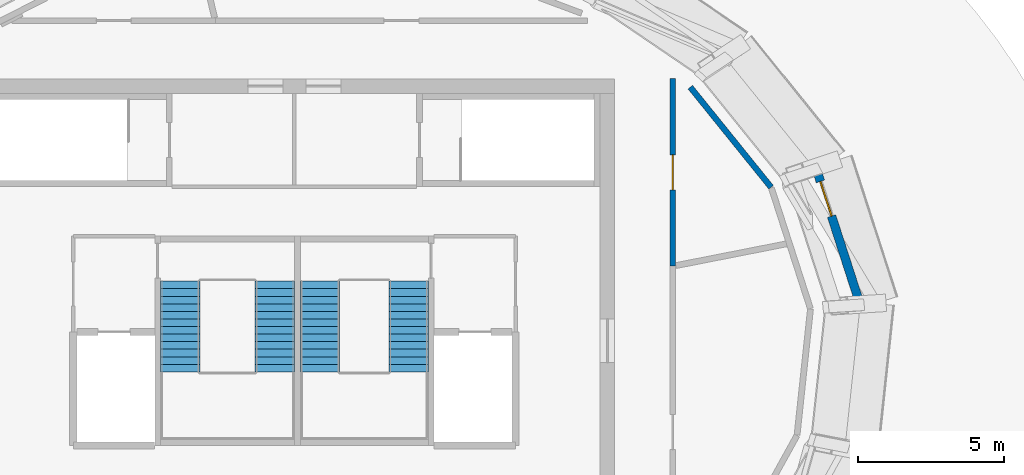
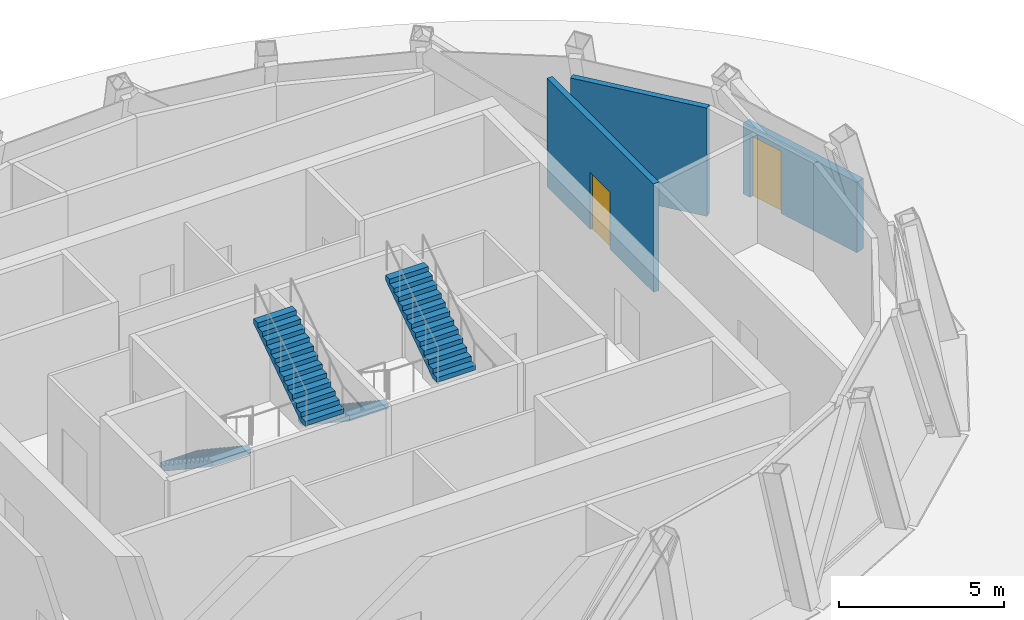
# One storey, part 7 of 9: 4 stair flights, 3 walls, 2 doors, 2 openings, 2 elements without a shape of their own.
"""IFC4 building model written with IfcOpenShell, lengths in metres."""

import ifcopenshell
import ifcopenshell.guid

model = None  # the IFC model being written
_history = None  # IfcOwnerHistory: only IFC2X3 demands one
_inside = {}  # id of a spatial element -> (the spatial element, [elements in it])
_under = {}  # id of a project, library or spatial element -> (it, [spatial elements below it])
_declared = {}  # id of a project -> (the project, [libraries it declares])
_typed = {}  # id of a type object -> (the type object, [elements of that type])
_made_of = {}  # id of a material, layer set ... -> (it, [elements and type objects made of it])


def new_model(schema):
    """Start an empty IFC model of exactly this schema.

    Asked for "IFC4X3", IfcOpenShell would pick the latest addendum, in which some entities
    have other attributes; the version numbers below select the first issue.
    IFC2X3 requires an IfcOwnerHistory on every rooted entity: one is made here for all.
    """
    global model, _history
    if schema == "IFC4X3":
        model = ifcopenshell.file(schema_version=(4, 3, 0, 0))
    else:
        model = ifcopenshell.file(schema=schema)
    _inside.clear()
    _under.clear()
    _declared.clear()
    _typed.clear()
    _made_of.clear()
    _history = None
    if model.schema == "IFC2X3":
        org = make("IfcOrganization", Name="unknown")
        user = make(
            "IfcPersonAndOrganization",
            ThePerson=make("IfcPerson", FamilyName="unknown"),
            TheOrganization=org,
        )
        app = make(
            "IfcApplication",
            ApplicationDeveloper=org,
            Version="unknown",
            ApplicationFullName="unknown",
            ApplicationIdentifier="unknown",
        )
        _history = make(
            "IfcOwnerHistory",
            OwningUser=user,
            OwningApplication=app,
            ChangeAction="ADDED",
            CreationDate=0,
        )
    return model


def make(cls, **values):
    """One entity of the class cls with the attributes given. An attribute that is None is left unset."""
    return model.create_entity(
        cls, **{name: value for name, value in values.items() if value is not None}
    )


def rooted(cls, **values):
    """An entity with a GlobalId (a new one), such as an element, a storey or a relation."""
    return make(cls, GlobalId=ifcopenshell.guid.new(), OwnerHistory=_history, **values)


def si_unit(unit_type, name, prefix=None):
    """IfcSIUnit, for example si_unit("LENGTHUNIT", "METRE", prefix="MILLI")."""
    return make("IfcSIUnit", UnitType=unit_type, Prefix=prefix, Name=name)


def assignment(units):
    """IfcUnitAssignment: the units of a project."""
    return None if units is None else make("IfcUnitAssignment", Units=units)


def point(xyz):
    """IfcCartesianPoint."""
    return None if xyz is None else make("IfcCartesianPoint", Coordinates=xyz)


def direction(xyz):
    """IfcDirection."""
    return None if xyz is None else make("IfcDirection", DirectionRatios=xyz)


def frame(location, z_axis=None, x_axis=None):
    """IfcAxis2Placement3D, a coordinate frame: its origin and axes. An axis left out is left unset."""
    return make(
        "IfcAxis2Placement3D",
        Location=point(location),
        Axis=direction(z_axis),
        RefDirection=direction(x_axis),
    )


def frame_2d(location, x_axis=None):
    """IfcAxis2Placement2D, a coordinate frame in the plane: its origin and x axis."""
    return make(
        "IfcAxis2Placement2D", Location=point(location), RefDirection=direction(x_axis)
    )


def origin():
    """The frame at (0, 0, 0) with its axes left unset."""
    return frame((0.0, 0.0, 0.0))


def place(relative_to, where):
    """IfcLocalPlacement: puts the frame where relative to a parent placement (None: the world)."""
    return make(
        "IfcLocalPlacement", PlacementRelTo=relative_to, RelativePlacement=where
    )


def context(
    kind, dimensions, precision=None, world=None, true_north=None, identifier=None
):
    """IfcGeometricRepresentationContext, for example the 3D "Model" context."""
    return make(
        "IfcGeometricRepresentationContext",
        ContextIdentifier=identifier,
        ContextType=kind,
        CoordinateSpaceDimension=dimensions,
        Precision=precision,
        WorldCoordinateSystem=world,
        TrueNorth=true_north,
    )


def subcontext(parent, identifier, kind, view, scale=None):
    """IfcGeometricRepresentationSubContext, for example "Body" below "Model"."""
    return make(
        "IfcGeometricRepresentationSubContext",
        ContextIdentifier=identifier,
        ContextType=kind,
        ParentContext=parent,
        TargetScale=scale,
        TargetView=view,
    )


def project(units=None, contexts=None):
    """IfcProject with its units and contexts."""
    return rooted(
        "IfcProject",
        Name="project",
        RepresentationContexts=contexts,
        UnitsInContext=assignment(units),
    )


def spatial(cls, under=None, at=None, **own):
    """A site, building, storey or space (cls), placed at a placement, below another one or the project."""
    s = rooted(cls, ObjectPlacement=at, **own)
    if under is not None:
        _under.setdefault(under.id(), (under, []))[1].append(s)
    return s


def polyline(points):
    """IfcPolyline through the points."""
    return make("IfcPolyline", Points=[point(p) for p in points])


def profile(cls, at=None, kind="AREA", **sizes):
    """A parametric profile (cls). Its sizes go by their IFC names, for example OverallWidth=200.0."""
    return make(cls, ProfileType=kind, Position=at, **sizes)


def rectangle(**sizes):
    """IfcRectangleProfileDef."""
    return profile("IfcRectangleProfileDef", **sizes)


def outline(outer, holes=None, kind="AREA"):
    """IfcArbitraryClosedProfileDef: a profile drawn as a closed curve; with holes, ...WithVoids."""
    if holes is None:
        return make("IfcArbitraryClosedProfileDef", ProfileType=kind, OuterCurve=outer)
    return make(
        "IfcArbitraryProfileDefWithVoids",
        ProfileType=kind,
        OuterCurve=outer,
        InnerCurves=holes,
    )


def extrude(swept, where, along, depth):
    """IfcExtrudedAreaSolid: the profile swept, set in the frame where, extruded along a direction by depth."""
    return make(
        "IfcExtrudedAreaSolid",
        SweptArea=swept,
        Position=where,
        ExtrudedDirection=direction(along),
        Depth=depth,
    )


def shape(context_of_items, identifier, shape_type, items):
    """IfcShapeRepresentation: the items that make up one representation, for example the "Body"."""
    return make(
        "IfcShapeRepresentation",
        ContextOfItems=context_of_items,
        RepresentationIdentifier=identifier,
        RepresentationType=shape_type,
        Items=items,
    )


def source(mapping_origin, context_of_items, identifier, shape_type, items):
    """IfcRepresentationMap: a shape defined once, which mapped items show again and again."""
    return make(
        "IfcRepresentationMap",
        MappingOrigin=mapping_origin,
        MappedRepresentation=shape(context_of_items, identifier, shape_type, items),
    )


def transform(
    local_origin,
    x_axis=None,
    y_axis=None,
    z_axis=None,
    scale=None,
    scale2=None,
    scale3=None,
    uniform=True,
):
    """IfcCartesianTransformationOperator3D, or its non-uniform kind. x_axis, y_axis, z_axis: its Axis1, 2, 3."""
    if uniform:
        return make(
            "IfcCartesianTransformationOperator3D",
            Axis1=direction(x_axis),
            Axis2=direction(y_axis),
            LocalOrigin=point(local_origin),
            Scale=scale,
            Axis3=direction(z_axis),
        )
    return make(
        "IfcCartesianTransformationOperator3DnonUniform",
        Axis1=direction(x_axis),
        Axis2=direction(y_axis),
        LocalOrigin=point(local_origin),
        Scale=scale,
        Axis3=direction(z_axis),
        Scale2=scale2,
        Scale3=scale3,
    )


def mapped(mapping_source, mapping_target):
    """IfcMappedItem: shows the shape of a source again, moved by a transform."""
    return make(
        "IfcMappedItem", MappingSource=mapping_source, MappingTarget=mapping_target
    )


def material(Name=None, Category=None):
    """IfcMaterial."""
    return make("IfcMaterial", Name=Name, Category=Category)


def layer(
    of_material, thickness, ventilated=None, Name=None, Category=None, Priority=None
):
    """IfcMaterialLayer: one layer of a wall or slab, of a material (None: an air gap)."""
    return make(
        "IfcMaterialLayer",
        Material=of_material,
        LayerThickness=thickness,
        IsVentilated=ventilated,
        Name=Name,
        Category=Category,
        Priority=Priority,
    )


def layer_set(layers, Name=None):
    """IfcMaterialLayerSet."""
    return make("IfcMaterialLayerSet", MaterialLayers=layers, LayerSetName=Name)


def made_of(thing, what):
    """Note that an element or type object is made of a material, layer set ...; save() writes the relation."""
    if what is not None:
        _made_of.setdefault(what.id(), (what, []))[1].append(thing)
    return thing


def type_object(cls, material=None, **own):
    """A type object (cls), such as IfcWallType, which elements share."""
    return made_of(rooted(cls, **own), material)


def element(
    cls,
    number,
    at=None,
    inside=None,
    cuts=None,
    type_object=None,
    material=None,
    context=None,
    identifier="Body",
    shape_type=None,
    held_by="IfcProductDefinitionShape",
    body=None,
    shapes=None,
    **own,
):
    """One element of the class cls, such as IfcWall. Its Tag is "e" and its number.

    at: its placement. inside: the storey or other place that contains it. cuts: it is an
    opening in that element (IfcRelVoidsElement). A single representation is given by context,
    identifier, shape_type and body (its items); several are given by shapes. held_by: the class
    of the entity that holds the representations. save() writes the other relations.
    """
    e = rooted(cls, Tag="e%d" % number, ObjectPlacement=at, **own)
    if body is not None:
        shapes = [shape(context, identifier, shape_type, body)]
    if shapes is not None:
        e.Representation = make(held_by, Representations=shapes)
    if inside is not None:
        _inside.setdefault(inside.id(), (inside, []))[1].append(e)
    if cuts is not None:
        rooted(
            "IfcRelVoidsElement", RelatingBuildingElement=cuts, RelatedOpeningElement=e
        )
    if type_object is not None:
        _typed.setdefault(type_object.id(), (type_object, []))[1].append(e)
    return made_of(e, material)


def fill(opening, filler):
    """IfcRelFillsElement: the door or window that sits in an opening."""
    return rooted(
        "IfcRelFillsElement",
        RelatingOpeningElement=opening,
        RelatedBuildingElement=filler,
    )


def aggregate(whole, parts):
    """IfcRelAggregates: a whole, such as a stair, and the parts it consists of."""
    return rooted("IfcRelAggregates", RelatingObject=whole, RelatedObjects=parts)


def save(model, path):
    """Write the relations noted so far, then the file.

    IfcRelAggregates (storeys below a building ...), IfcRelContainedInSpatialStructure (elements
    in a storey), IfcRelDefinesByType, IfcRelAssociatesMaterial and IfcRelDeclares: one each for
    every whole, place, type object, material and project.
    """
    for whole, parts in _under.values():
        aggregate(whole, parts)
    for where, things in _inside.values():
        rooted(
            "IfcRelContainedInSpatialStructure",
            RelatedElements=things,
            RelatingStructure=where,
        )
    for kind, things in _typed.values():
        rooted("IfcRelDefinesByType", RelatedObjects=things, RelatingType=kind)
    for what, things in _made_of.values():
        rooted("IfcRelAssociatesMaterial", RelatedObjects=things, RelatingMaterial=what)
    for by, libraries in _declared.values():
        rooted("IfcRelDeclares", RelatingContext=by, RelatedDefinitions=libraries)
    model.write(path)


model = new_model("IFC4")

# Units and contexts
model_context = context("Model", 3, precision=1e-05, world=origin(), true_north=direction((0.0, 1.0)))
body_context = subcontext(model_context, "Body", "Model", "MODEL_VIEW")
ifc_project = project(units=[si_unit("LENGTHUNIT", "METRE"), si_unit("AREAUNIT", "SQUARE_METRE"), si_unit("VOLUMEUNIT", "CUBIC_METRE"), si_unit("PLANEANGLEUNIT", "RADIAN"), si_unit("MASSUNIT", "GRAM", prefix="KILO")], contexts=[model_context])

# Site, building, storey
site_placement = place(None, origin())
site = spatial("IfcSite", under=ifc_project, at=site_placement, CompositionType="ELEMENT")
building_placement = place(site_placement, origin())
building = spatial("IfcBuilding", under=site, at=building_placement, Name="Embergate Tower", CompositionType="ELEMENT")
storey_placement = place(building_placement, frame((0.0, 0.0, 352.0)))
storey = spatial("IfcBuildingStorey", under=building, at=storey_placement, Name="L80", CompositionType="ELEMENT", Elevation=352.0)

# Wall
ifc_material_1 = material(Name="Terracotta louvre cladding on insulated backing", Category="masonry")
ifc_layer_1 = layer(ifc_material_1, 0.199951171875)
ifc_layer_set_1 = layer_set([ifc_layer_1], Name="Terracotta louvre cladding on insulated backing")
wall_type_1 = type_object("IfcWallType", Name="Terracotta louvre wall", PredefinedType="SOLIDWALL", material=ifc_layer_set_1)
shared_shape_1 = source(origin(), body_context, "Body", "SweptSolid", [
    extrude(rectangle(XDim=4.419189453125, YDim=0.199951171875, at=frame_2d((2.20947265625, 0.0))), origin(), (0.0, 0.0, 1.0), 4.0),
])
wall_1_placement = place(storey_placement, frame((13.602294921875, 8.715576171875, 0.0), z_axis=(0.0, 0.0, 1.0), x_axis=(0.628124910936, -0.778112521594, 0.0)))
element("IfcWall", 1, at=wall_1_placement, inside=storey, type_object=wall_type_1, Name="Crown louvre wall 1", PredefinedType="SOLIDWALL", context=body_context, shape_type="MappedRepresentation", body=[
    mapped(shared_shape_1, transform((0.0, 0.0, 0.0))),
])

# Wall, opening, door
ifc_material_2 = material(Name="Brick masonry with ceramic skin", Category="masonry")
ifc_layer_2 = layer(ifc_material_2, 0.300048828125)
ifc_layer_set_2 = layer_set([ifc_layer_2], Name="Brick masonry with ceramic skin")
wall_type_2 = type_object("IfcWallType", Name="Crown base wall", PredefinedType="SOLIDWALL", material=ifc_layer_set_2)
shared_shape_2 = source(origin(), body_context, "Body", "SweptSolid", [
    extrude(rectangle(XDim=4.644775390625, YDim=0.300048828125, at=frame_2d((2.322265625, 0.0))), origin(), (0.0, 0.0, 1.0), 2.60009765625),
])
wall_2_placement = place(storey_placement, frame((19.40966796875, 1.340576171875, 0.0), z_axis=(0.0, 0.0, 1.0), x_axis=(-0.307431215292, 0.951570306317, 0.0)))
wall_2 = element("IfcWall", 2, at=wall_2_placement, inside=storey, type_object=wall_type_2, Name="Crown base wall E", PredefinedType="SOLIDWALL", context=body_context, shape_type="MappedRepresentation", body=[
    mapped(shared_shape_2, transform((0.0, 0.0, 0.0))),
])
shared_shape_3 = source(origin(), body_context, "Body", "SweptSolid", [
    extrude(rectangle(XDim=1.25, YDim=2.300048828125, at=frame_2d((0.625, 1.14990234375))), frame((0.0, 0.159912109375, 0.0), z_axis=(0.0, -1.0, 0.0), x_axis=(1.0, 0.0, 0.0)), (0.0, 0.0, 1.0), 0.320068359375),
])
opening_1_placement = place(wall_2_placement, frame((3.094970703125, 0.0, 0.0)))
opening_1 = element("IfcOpeningElement", 3, at=opening_1_placement, cuts=wall_2, Name="Opening XD", PredefinedType="OPENING", context=body_context, shape_type="MappedRepresentation", body=[
    mapped(shared_shape_3, transform((0.0, 0.0, 0.0))),
])
ifc_material_3 = material(Name="Aluminium and toughened glass", Category="aluminium")
door_type_1 = type_object("IfcDoorType", Name="Exit door leaf", OperationType="SINGLE_SWING_LEFT", PredefinedType="DOOR", material=ifc_material_3)
shared_shape_4 = source(origin(), body_context, "Body", "SweptSolid", [
    extrude(rectangle(XDim=1.25, YDim=2.300048828125, at=frame_2d((0.625, 1.14990234375))), frame((0.0, 0.02490234375, 0.0), z_axis=(0.0, -1.0, 0.0), x_axis=(1.0, 0.0, 0.0)), (0.0, 0.0, 1.0), 0.050048828125),
])
door_1_placement = place(opening_1_placement, origin())
door_1 = element("IfcDoor", 4, at=door_1_placement, inside=storey, type_object=door_type_1, Name="Roof access door E", OperationType="SINGLE_SWING_LEFT", OverallHeight=2.300048828125, OverallWidth=1.25, PredefinedType="DOOR", context=body_context, shape_type="MappedRepresentation", body=[
    mapped(shared_shape_4, transform((0.0, 0.0, 0.0))),
])
fill(opening_1, door_1)

ifc_material_4 = material(Name="Blockwork, plastered", Category="masonry")
ifc_layer_3 = layer(ifc_material_4, 0.199951171875)
ifc_layer_set_3 = layer_set([ifc_layer_3], Name="Blockwork, plastered")
wall_type_3 = type_object("IfcWallType", Name="Fire partition wall 200 block", PredefinedType="PARTITIONING", material=ifc_layer_set_3)
shared_shape_5 = source(origin(), body_context, "Body", "SweptSolid", [
    extrude(rectangle(XDim=6.446044921875, YDim=0.199951171875, at=frame_2d((3.22314453125, 0.0))), origin(), (0.0, 0.0, 1.0), 4.0),
])
wall_3_placement = place(storey_placement, frame((13.0, 9.008056640625, 0.0), z_axis=(0.0, 0.0, 1.0), x_axis=(0.0, -1.0, 0.0)))
wall_3 = element("IfcWall", 5, at=wall_3_placement, inside=storey, type_object=wall_type_3, Name="Partition 011", PredefinedType="PARTITIONING", context=body_context, shape_type="MappedRepresentation", body=[
    mapped(shared_shape_5, transform((0.0, 0.0, 0.0))),
])
shared_shape_6 = source(origin(), body_context, "Body", "SweptSolid", [
    extrude(rectangle(XDim=1.199951171875, YDim=2.10009765625, at=frame_2d((0.60009765625, 1.050048828125))), frame((0.0, 0.10986328125, 0.0), z_axis=(0.0, -1.0, 0.0), x_axis=(1.0, 0.0, 0.0)), (0.0, 0.0, 1.0), 0.219970703125),
])
opening_2_placement = place(wall_3_placement, frame((2.623046875, 0.0, 0.0)))
opening_2 = element("IfcOpeningElement", 6, at=opening_2_placement, cuts=wall_3, Name="Opening DS-273", PredefinedType="OPENING", context=body_context, shape_type="MappedRepresentation", body=[
    mapped(shared_shape_6, transform((0.0, 0.0, 0.0))),
])
ifc_material_5 = material(Name="Timber door leaf, steel frame", Category="steel")
door_type_2 = type_object("IfcDoorType", Name="Plant door 1200x2100", OperationType="SINGLE_SWING_LEFT", PredefinedType="DOOR", material=ifc_material_5)
shared_shape_7 = source(origin(), body_context, "Body", "SweptSolid", [
    extrude(rectangle(XDim=1.199951171875, YDim=2.10009765625, at=frame_2d((0.60009765625, 1.050048828125))), frame((0.0, 0.02490234375, 0.0), z_axis=(0.0, -1.0, 0.0), x_axis=(1.0, 0.0, 0.0)), (0.0, 0.0, 1.0), 0.050048828125),
])
door_2_placement = place(opening_2_placement, origin())
door_2 = element("IfcDoor", 7, at=door_2_placement, inside=storey, type_object=door_type_2, Name="Door to Crown mechanical plant room", OperationType="SINGLE_SWING_LEFT", OverallHeight=2.10009765625, OverallWidth=1.199951171875, PredefinedType="DOOR", context=body_context, shape_type="MappedRepresentation", body=[
    mapped(shared_shape_7, transform((0.0, 0.0, 0.0))),
])
fill(opening_2, door_2)

# Stair, stair flights
ifc_material_6 = material(Name="Exit stair")
stair_type = type_object("IfcStairType", Name="Exit stair", PredefinedType="HALF_TURN_STAIR", material=ifc_material_6)
stair_1_placement = place(storey_placement, origin())
stair_1 = element("IfcStair", 8, at=stair_1_placement, inside=storey, type_object=stair_type, Name="L80 Exit stair 1", PredefinedType="HALF_TURN_STAIR")
ifc_material_7 = material(Name="Concrete C40", Category="concrete")
stair_flight_type = type_object("IfcStairFlightType", Name="Stair flight reinforced concrete", PredefinedType="STRAIGHT", material=ifc_material_7)
shared_shape_8 = source(origin(), body_context, "Body", "SweptSolid", [
    extrude(outline(polyline([(0.0, 0.0), (0.0, 0.173095703125), (0.260009765625, 0.173095703125), (0.260009765625, 0.34619140625), (0.52001953125, 0.34619140625), (0.52001953125, 0.519287109375), (0.780029296875, 0.519287109375), (0.780029296875, 0.6923828125), (1.0400390625, 0.6923828125), (1.0400390625, 0.865478515625), (1.300048828125, 0.865478515625), (1.300048828125, 1.03857421875), (1.56005859375, 1.03857421875), (1.56005859375, 1.21142578125), (1.820068359375, 1.21142578125), (1.820068359375, 1.384521484375), (2.080078125, 1.384521484375), (2.080078125, 1.5576171875), (2.340087890625, 1.5576171875), (2.340087890625, 1.730712890625), (2.60009765625, 1.730712890625), (2.60009765625, 1.90380859375), (2.860107421875, 1.90380859375), (2.860107421875, 2.076904296875), (3.1201171875, 2.076904296875), (3.1201171875, 2.25), (3.1201171875, 1.896728515625), (0.2705078125, 0.0), (0.0, 0.0)])), frame((0.0, 0.675048828125, 0.0), z_axis=(0.0, -1.0, 0.0), x_axis=(1.0, 0.0, 0.0)), (0.0, 0.0, 1.0), 1.35009765625),
])
stair_flight_1_placement = place(storey_placement, frame((0.875, 2.050048828125, 0.0), z_axis=(0.0, 0.0, 1.0), x_axis=(0.0, -1.0, 0.0)))
stair_flight_1 = element("IfcStairFlight", 9, at=stair_flight_1_placement, type_object=stair_flight_type, Name="ST1 flight 1", NumberOfRisers=13, NumberOfTreads=12, PredefinedType="STRAIGHT", RiserHeight=0.173076923, TreadLength=0.26, context=body_context, shape_type="MappedRepresentation", body=[
    mapped(shared_shape_8, transform((0.0, 0.0, 0.0))),
])
stair_flight_2_placement = place(storey_placement, frame((3.925048828125, -1.070068359375, 2.25), z_axis=(0.0, 0.0, 1.0), x_axis=(0.0, 1.0, 0.0)))
stair_flight_2 = element("IfcStairFlight", 10, at=stair_flight_2_placement, type_object=stair_flight_type, Name="ST1 flight 2", NumberOfRisers=13, NumberOfTreads=12, PredefinedType="STRAIGHT", RiserHeight=0.173076923, TreadLength=0.26, context=body_context, shape_type="MappedRepresentation", body=[
    mapped(shared_shape_8, transform((0.0, 0.0, 0.0))),
])
aggregate(stair_1, [stair_flight_1, stair_flight_2])

stair_2_placement = place(storey_placement, origin())
stair_2 = element("IfcStair", 11, at=stair_2_placement, inside=storey, type_object=stair_type, Name="L80 Exit stair 3", PredefinedType="HALF_TURN_STAIR")
stair_flight_3_placement = place(storey_placement, frame((-3.925048828125, 2.050048828125, 0.0), z_axis=(0.0, 0.0, 1.0), x_axis=(0.0, -1.0, 0.0)))
stair_flight_3 = element("IfcStairFlight", 12, at=stair_flight_3_placement, type_object=stair_flight_type, Name="ST3 flight 1", NumberOfRisers=13, NumberOfTreads=12, PredefinedType="STRAIGHT", RiserHeight=0.173076923, TreadLength=0.26, context=body_context, shape_type="MappedRepresentation", body=[
    mapped(shared_shape_8, transform((0.0, 0.0, 0.0))),
])
stair_flight_4_placement = place(storey_placement, frame((-0.675048828125, -1.070068359375, 2.25), z_axis=(0.0, 0.0, 1.0), x_axis=(0.0, 1.0, 0.0)))
stair_flight_4 = element("IfcStairFlight", 13, at=stair_flight_4_placement, type_object=stair_flight_type, Name="ST3 flight 2", NumberOfRisers=13, NumberOfTreads=12, PredefinedType="STRAIGHT", RiserHeight=0.173076923, TreadLength=0.26, context=body_context, shape_type="MappedRepresentation", body=[
    mapped(shared_shape_8, transform((0.0, 0.0, 0.0))),
])
aggregate(stair_2, [stair_flight_3, stair_flight_4])

save(model, "model.ifc")
